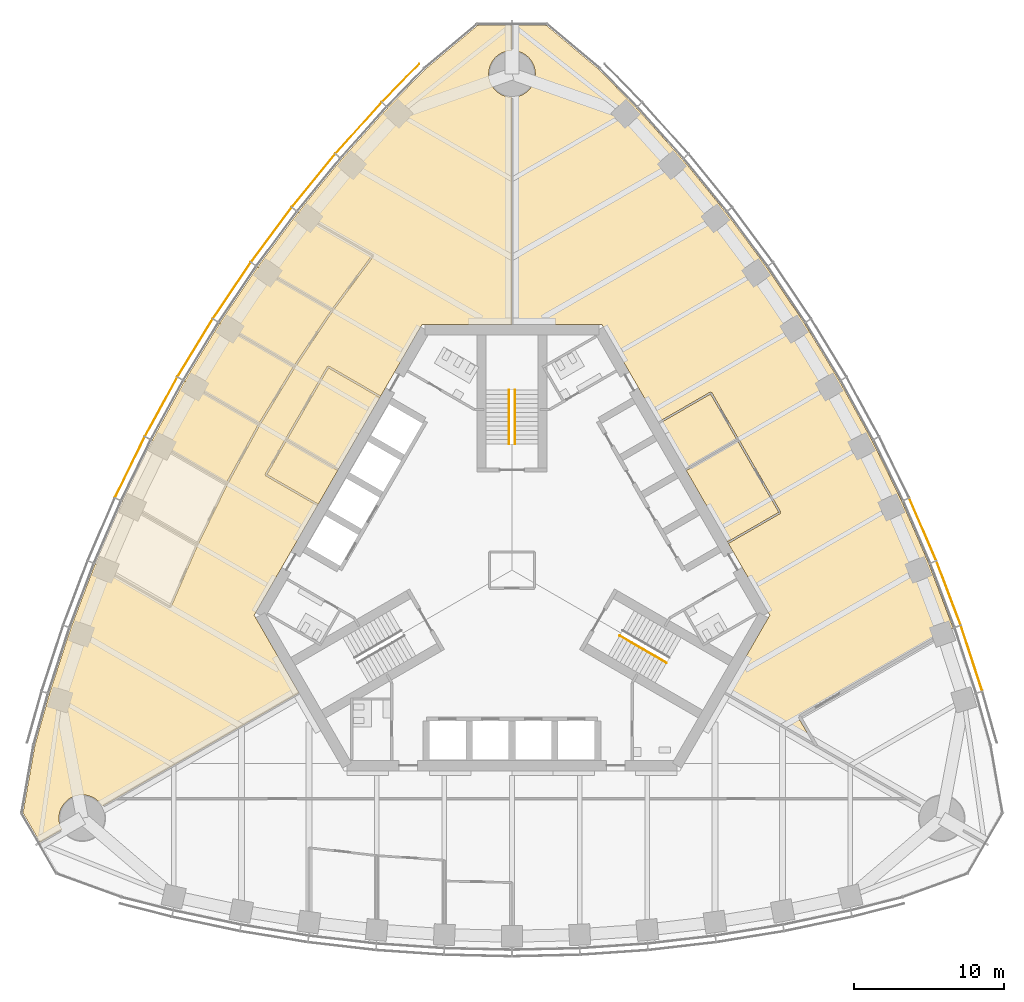
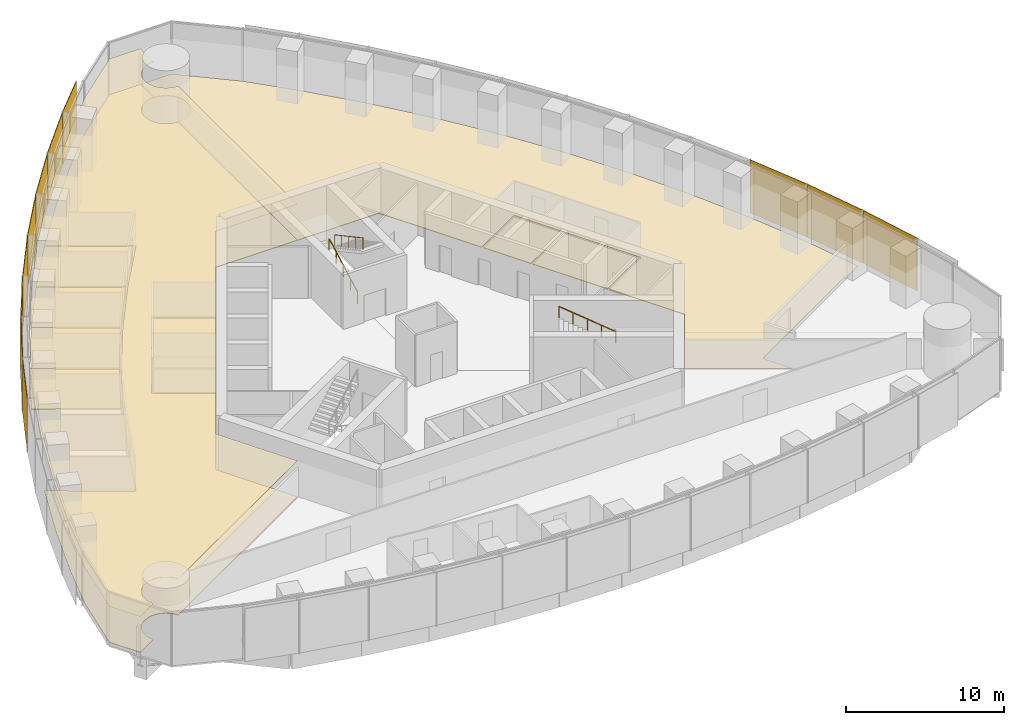
# One storey, part 16 of 19: 11 coverings, 11 shading devices, 3 railings.
"""IFC4 building model written with IfcOpenShell, lengths in metres."""

from ifc_helpers import new_model, si_unit, direction, frame, origin, origin_2d, place, context, subcontext, project, spatial, polyline, rectangle, circle, outline, extrude, material, layer, layer_set, type_object, element, save


model = new_model("IFC4")

# Units and contexts
model_context = context("Model", 3, precision=1e-05, world=origin(), true_north=direction((0.0, 1.0)))
body_context = subcontext(model_context, "Body", "Model", "MODEL_VIEW")
ifc_project = project(units=[si_unit("LENGTHUNIT", "METRE"), si_unit("AREAUNIT", "SQUARE_METRE"), si_unit("VOLUMEUNIT", "CUBIC_METRE"), si_unit("PLANEANGLEUNIT", "RADIAN"), si_unit("MASSUNIT", "GRAM", prefix="KILO")], contexts=[model_context])

# Site, building, storey
site_placement = place(None, origin())
site = spatial("IfcSite", under=ifc_project, at=site_placement, CompositionType="ELEMENT")
building_placement = place(site_placement, origin())
building = spatial("IfcBuilding", under=site, at=building_placement, Name="Trefoil Bronze Tower", CompositionType="ELEMENT")
storey_placement = place(building_placement, frame((0.0, 0.0, 248.5)))
storey = spatial("IfcBuildingStorey", under=building, at=storey_placement, Name="L57", CompositionType="ELEMENT", Elevation=248.5)

# Shading devices
ifc_material_1 = material(Name="Perforated bronze sheet", Category="bronze")
ifc_layer_1 = layer(ifc_material_1, 0.0400390625)
ifc_layer_set_1 = layer_set([ifc_layer_1], Name="Bronze solar screen panel")
shading_device_type = type_object("IfcShadingDeviceType", Name="Bronze solar screen panel", PredefinedType="SHUTTER", material=ifc_layer_set_1)
shading_device_1_placement = place(storey_placement, frame((30.5634765625, -5.86572265625, 0.050048828125), z_axis=(0.0, 0.0, 1.0), x_axis=(-0.310148591821, 0.950688093431, 0.0)))
element("IfcShadingDevice", 1, at=shading_device_1_placement, inside=storey, type_object=shading_device_type, Name="Solar screen CW-A L57 F2 bay 2", PredefinedType="SHUTTER", context=body_context, shape_type="SweptSolid", body=[
    extrude(rectangle(XDim=4.5693359375, YDim=0.0400390625, at=origin_2d()), origin(), (0.0, 0.0, 1.0), 4.10009765625),
])
shading_device_2_placement = place(storey_placement, frame((29.0341796875, -1.52392578125, 0.050048828125), z_axis=(0.0, 0.0, 1.0), x_axis=(-0.354233936517, 0.935156841508, 0.0)))
element("IfcShadingDevice", 2, at=shading_device_2_placement, inside=storey, type_object=shading_device_type, Name="Solar screen CW-A L57 F2 bay 3", PredefinedType="SHUTTER", context=body_context, shape_type="SweptSolid", body=[
    extrude(rectangle(XDim=4.529296875, YDim=0.0400390625, at=origin_2d()), origin(), (0.0, 0.0, 1.0), 4.10009765625),
])
shading_device_3_placement = place(storey_placement, frame((27.317626953125, 2.709716796875, 0.050048828125), z_axis=(0.0, 0.0, 1.0), x_axis=(-0.397220305764, 0.917723285467, 0.0)))
element("IfcShadingDevice", 3, at=shading_device_3_placement, inside=storey, type_object=shading_device_type, Name="Solar screen CW-A L57 F2 bay 4", PredefinedType="SHUTTER", context=body_context, shape_type="SweptSolid", body=[
    extrude(rectangle(XDim=4.5, YDim=0.0400390625, at=origin_2d()), origin(), (0.0, 0.0, 1.0), 4.10009765625),
])
shading_device_4_placement = place(storey_placement, frame((-7.40478515625, 32.40380859375, 0.050048828125), z_axis=(0.0, 0.0, 1.0), x_axis=(-0.698651812425, -0.715461840349, 0.0)))
element("IfcShadingDevice", 4, at=shading_device_4_placement, inside=storey, type_object=shading_device_type, Name="Solar screen CW-A L57 F3 bay 1", PredefinedType="SHUTTER", context=body_context, shape_type="SweptSolid", body=[
    extrude(rectangle(XDim=3.53369140625, YDim=0.0400390625, at=origin_2d()), origin(), (0.0, 0.0, 1.0), 4.10009765625),
])
shading_device_5_placement = place(storey_placement, frame((-10.20166015625, 29.401611328125, 0.050048828125), z_axis=(0.0, 0.0, 1.0), x_axis=(-0.668245744076, -0.743940606181, 0.0)))
element("IfcShadingDevice", 5, at=shading_device_5_placement, inside=storey, type_object=shading_device_type, Name="Solar screen CW-A L57 F3 bay 2", PredefinedType="SHUTTER", context=body_context, shape_type="SweptSolid", body=[
    extrude(rectangle(XDim=4.5693359375, YDim=0.0400390625, at=origin_2d()), origin(), (0.0, 0.0, 1.0), 4.10009765625),
])
shading_device_6_placement = place(storey_placement, frame((-13.197509765625, 25.90625, 0.050048828125), z_axis=(0.0, 0.0, 1.0), x_axis=(-0.63275261301, -0.774354008661, 0.0)))
element("IfcShadingDevice", 6, at=shading_device_6_placement, inside=storey, type_object=shading_device_type, Name="Solar screen CW-A L57 F3 bay 3", PredefinedType="SHUTTER", context=body_context, shape_type="SweptSolid", body=[
    extrude(rectangle(XDim=4.529296875, YDim=0.0400390625, at=origin_2d()), origin(), (0.0, 0.0, 1.0), 4.10009765625),
])
shading_device_7_placement = place(storey_placement, frame((-16.005615234375, 22.302734375, 0.050048828125), z_axis=(0.0, 0.0, 1.0), x_axis=(-0.596161525977, -0.802864518425, 0.0)))
element("IfcShadingDevice", 7, at=shading_device_7_placement, inside=storey, type_object=shading_device_type, Name="Solar screen CW-A L57 F3 bay 4", PredefinedType="SHUTTER", context=body_context, shape_type="SweptSolid", body=[
    extrude(rectangle(XDim=4.5, YDim=0.0400390625, at=origin_2d()), origin(), (0.0, 0.0, 1.0), 4.10009765625),
])
shading_device_8_placement = place(storey_placement, frame((-18.6298828125, 18.59326171875, 0.050048828125), z_axis=(0.0, 0.0, 1.0), x_axis=(-0.558493494706, -0.829508900718, 0.0)))
element("IfcShadingDevice", 8, at=shading_device_8_placement, inside=storey, type_object=shading_device_type, Name="Solar screen CW-A L57 F3 bay 5", PredefinedType="SHUTTER", context=body_context, shape_type="SweptSolid", body=[
    extrude(rectangle(XDim=4.480712890625, YDim=0.0400390625, at=origin_2d()), origin(), (0.0, 0.0, 1.0), 4.10009765625),
])
for number, where, z_axis, x_axis, name in (
    (9, (-21.07275390625, 14.77880859375, 0.050048828125), (0.0, 0.0, 1.0), (-0.519762112739, -0.854311035959, 0.0), "Solar screen CW-A L57 F3 bay 6"),
    (10, (-23.3349609375, 10.860107421875, 0.050048828125), (0.0, 0.0, 1.0), (-0.479974003504, -0.877282711536, 0.0), "Solar screen CW-A L57 F3 bay 7"),
):
    element("IfcShadingDevice", number, at=place(storey_placement, frame(where, z_axis=z_axis, x_axis=x_axis)), inside=storey, type_object=shading_device_type, Name=name, PredefinedType="SHUTTER", context=body_context, shape_type="SweptSolid", body=[
        extrude(rectangle(XDim=4.47119140625, YDim=0.0400390625, at=origin_2d()), origin(), (0.0, 0.0, 1.0), 4.10009765625),
    ])
shading_device_9_placement = place(storey_placement, frame((-25.4169921875, 6.83740234375, 0.050048828125), z_axis=(0.0, 0.0, 1.0), x_axis=(-0.439129033334, -0.898424004623, 0.0)))
element("IfcShadingDevice", 11, at=shading_device_9_placement, inside=storey, type_object=shading_device_type, Name="Solar screen CW-A L57 F3 bay 8", PredefinedType="SHUTTER", context=body_context, shape_type="SweptSolid", body=[
    extrude(rectangle(XDim=4.480712890625, YDim=0.0400390625, at=origin_2d()), origin(), (0.0, 0.0, 1.0), 4.10009765625),
])

# Railings
ifc_material_2 = material(Name="Steel handrail", Category="steel")
railing_type = type_object("IfcRailingType", Name="Handrail 900", PredefinedType="HANDRAIL", material=ifc_material_2)
railing_1_placement = place(storey_placement, frame((10.28369140625, -6.168212890625, 2.261474609375)))
element("IfcRailing", 12, at=railing_1_placement, inside=storey, type_object=railing_type, Name="Handrail ST1 flight 2 L57", PredefinedType="HANDRAIL", context=body_context, shape_type="SweptSolid", body=[
    extrude(circle(Radius=0.02392578125, at=origin_2d()), frame((0.0, 0.0, 0.8759765625), z_axis=(-0.76250339821, 0.440245697338, 0.474101564745), x_axis=(-0.500012057535, -0.866018442252, 0.0)), (0.0, 0.0, 1.0), 4.088623046875),
    extrude(circle(Radius=0.02099609375, at=origin_2d()), origin(), (0.0, 0.0, 1.0), 0.851806640625),
    extrude(circle(Radius=0.02099609375, at=origin_2d()), frame((-0.779296875, 0.449951171875, 0.484619140625)), (0.0, 0.0, 1.0), 0.851806640625),
    extrude(circle(Radius=0.02099609375, at=origin_2d()), frame((-1.558837890625, 0.89990234375, 0.96923828125)), (0.0, 0.0, 1.0), 0.851806640625),
    extrude(circle(Radius=0.02099609375, at=origin_2d()), frame((-2.33837890625, 1.35009765625, 1.453857421875)), (0.0, 0.0, 1.0), 0.851806640625),
    extrude(circle(Radius=0.02099609375, at=origin_2d()), frame((-3.11767578125, 1.800048828125, 1.9384765625)), (0.0, 0.0, 1.0), 0.851806640625),
])
railing_2_placement = place(storey_placement, frame((-0.199951171875, 8.389892578125, 0.16162109375)))
element("IfcRailing", 13, at=railing_2_placement, inside=storey, type_object=railing_type, Name="Handrail ST2 flight 1 L57", PredefinedType="HANDRAIL", context=body_context, shape_type="SweptSolid", body=[
    extrude(circle(Radius=0.02392578125, at=origin_2d()), frame((0.0, 0.0, 0.8759765625), z_axis=(0.0, 0.880474934443, 0.474092701714), x_axis=(-1.0, 0.0, 0.0)), (0.0, 0.0, 1.0), 4.0888671875),
    extrude(circle(Radius=0.02099609375, at=origin_2d()), origin(), (0.0, 0.0, 1.0), 0.851806640625),
    extrude(circle(Radius=0.02099609375, at=origin_2d()), frame((0.0, 0.89990234375, 0.484619140625)), (0.0, 0.0, 1.0), 0.851806640625),
    extrude(circle(Radius=0.02099609375, at=origin_2d()), frame((0.0, 1.800048828125, 0.96923828125)), (0.0, 0.0, 1.0), 0.851806640625),
    extrude(circle(Radius=0.02099609375, at=origin_2d()), frame((0.0, 2.7001953125, 1.453857421875)), (0.0, 0.0, 1.0), 0.851806640625),
    extrude(circle(Radius=0.02099609375, at=origin_2d()), frame((0.0, 3.60009765625, 1.9384765625)), (0.0, 0.0, 1.0), 0.851806640625),
])
railing_3_placement = place(storey_placement, frame((0.199951171875, 11.989990234375, 2.261474609375)))
element("IfcRailing", 14, at=railing_3_placement, inside=storey, type_object=railing_type, Name="Handrail ST2 flight 2 L57", PredefinedType="HANDRAIL", context=body_context, shape_type="SweptSolid", body=[
    extrude(circle(Radius=0.02392578125, at=origin_2d()), frame((0.0, 0.0, 0.8759765625), z_axis=(0.0, -0.880474934443, 0.474092701714), x_axis=(1.0, 0.0, 0.0)), (0.0, 0.0, 1.0), 4.0888671875),
    extrude(circle(Radius=0.02099609375, at=origin_2d()), origin(), (0.0, 0.0, 1.0), 0.851806640625),
    extrude(circle(Radius=0.02099609375, at=origin_2d()), frame((0.0, -0.89990234375, 0.484619140625)), (0.0, 0.0, 1.0), 0.851806640625),
    extrude(circle(Radius=0.02099609375, at=origin_2d()), frame((0.0, -1.800048828125, 0.96923828125)), (0.0, 0.0, 1.0), 0.851806640625),
    extrude(circle(Radius=0.02099609375, at=origin_2d()), frame((0.0, -2.7001953125, 1.453857421875)), (0.0, 0.0, 1.0), 0.851806640625),
    extrude(circle(Radius=0.02099609375, at=origin_2d()), frame((0.0, -3.60009765625, 1.9384765625)), (0.0, 0.0, 1.0), 0.851806640625),
])

# Coverings
ifc_material_3 = material(Name="Acoustic ceiling panels", Category="mineral fibre")
ifc_layer_2 = layer(ifc_material_3, 0.02001953125)
ifc_layer_set_2 = layer_set([ifc_layer_2], Name="Office ceiling 20")
covering_type_1 = type_object("IfcCoveringType", Name="Office ceiling 20", PredefinedType="CEILING", material=ifc_layer_set_2)
covering_1_placement = place(storey_placement, frame((0.0, 0.0, 2.89990234375)))
element("IfcCovering", 15, at=covering_1_placement, inside=storey, type_object=covering_type_1, Name="Ceiling L57 Open-plan office F3", PredefinedType="CEILING", context=body_context, shape_type="SweptSolid", body=[
    extrude(outline(polyline([(-30.76318359375, -8.219482421875), (-29.3369140625, -3.846923828125), (-27.7216796875, 0.416748046875), (-25.92236328125, 4.573974609375), (-23.94140625, 8.62646484375), (-21.781005859375, 12.5751953125), (-19.44140625, 16.420654296875), (-16.92236328125, 20.162353515625), (-14.2216796875, 23.79931640625), (-11.3369140625, 27.329833984375), (-8.26318359375, 30.751708984375), (-5.7734375, 33.30126953125), (-2.280029296875, 36.232666015625), (-0.013671875, 36.232666015625), (-0.012939453125, 34.5498046875), (-0.076171875, 34.548095703125), (-0.15185546875, 34.54248046875), (-0.227294921875, 34.533203125), (-0.302490234375, 34.520263671875), (-0.376708984375, 34.50341796875), (-0.449951171875, 34.4833984375), (-0.522216796875, 34.45947265625), (-0.59326171875, 34.431884765625), (-0.66259765625, 34.401123046875), (-0.730712890625, 34.366943359375), (-0.796875, 34.32958984375), (-0.861083984375, 34.288818359375), (-0.92333984375, 34.2451171875), (-0.9833984375, 34.1982421875), (-1.041015625, 34.1484375), (-1.095947265625, 34.095947265625), (-1.1484375, 34.041015625), (-1.1982421875, 33.9833984375), (-1.2451171875, 33.92333984375), (-1.288818359375, 33.861083984375), (-1.32958984375, 33.796875), (-1.366943359375, 33.730712890625), (-1.401123046875, 33.66259765625), (-1.431884765625, 33.59326171875), (-1.45947265625, 33.522216796875), (-1.4833984375, 33.449951171875), (-1.50341796875, 33.376708984375), (-1.520263671875, 33.302490234375), (-1.533203125, 33.227294921875), (-1.54248046875, 33.15185546875), (-1.548095703125, 33.076171875), (-1.550048828125, 33.0), (-1.548095703125, 32.923828125), (-1.54248046875, 32.84814453125), (-1.533203125, 32.772705078125), (-1.520263671875, 32.697509765625), (-1.50341796875, 32.623291015625), (-1.4833984375, 32.550048828125), (-1.45947265625, 32.477783203125), (-1.431884765625, 32.40673828125), (-1.401123046875, 32.33740234375), (-1.366943359375, 32.269287109375), (-1.32958984375, 32.203125), (-1.288818359375, 32.138916015625), (-1.2451171875, 32.07666015625), (-1.1982421875, 32.0166015625), (-1.1484375, 31.958984375), (-1.095947265625, 31.904052734375), (-1.041015625, 31.8515625), (-0.9833984375, 31.8017578125), (-0.92333984375, 31.7548828125), (-0.861083984375, 31.711181640625), (-0.796875, 31.67041015625), (-0.730712890625, 31.633056640625), (-0.66259765625, 31.598876953125), (-0.59326171875, 31.568115234375), (-0.522216796875, 31.54052734375), (-0.449951171875, 31.5166015625), (-0.376708984375, 31.49658203125), (-0.302490234375, 31.479736328125), (-0.227294921875, 31.466796875), (-0.15185546875, 31.45751953125), (-0.076171875, 31.451904296875), (-0.01171875, 31.4501953125), (-0.006103515625, 16.35009765625), (-5.9755859375, 16.35009765625), (-17.147216796875, -3.0), (-14.16259765625, -8.169677734375), (-27.24267578125, -15.71484375), (-27.2900390625, -15.638916015625), (-27.333984375, -15.57666015625), (-27.380615234375, -15.5166015625), (-27.430419921875, -15.458984375), (-27.48291015625, -15.404052734375), (-27.537841796875, -15.3515625), (-27.595458984375, -15.3017578125), (-27.655517578125, -15.2548828125), (-27.7177734375, -15.211181640625), (-27.781982421875, -15.17041015625), (-27.84814453125, -15.133056640625), (-27.916015625, -15.098876953125), (-27.985595703125, -15.068115234375), (-28.056640625, -15.04052734375), (-28.12890625, -15.0166015625), (-28.2021484375, -14.99658203125), (-28.2763671875, -14.979736328125), (-28.351318359375, -14.966796875), (-28.427001953125, -14.95751953125), (-28.502685546875, -14.951904296875), (-28.578857421875, -14.949951171875), (-28.65478515625, -14.951904296875), (-28.730712890625, -14.95751953125), (-28.806396484375, -14.966796875), (-28.881103515625, -14.979736328125), (-28.95556640625, -14.99658203125), (-29.02880859375, -15.0166015625), (-29.10107421875, -15.04052734375), (-29.172119140625, -15.068115234375), (-29.241455078125, -15.098876953125), (-29.3095703125, -15.133056640625), (-29.375732421875, -15.17041015625), (-29.43994140625, -15.211181640625), (-29.502197265625, -15.2548828125), (-29.56201171875, -15.3017578125), (-29.619873046875, -15.3515625), (-29.6748046875, -15.404052734375), (-29.727294921875, -15.458984375), (-29.777099609375, -15.5166015625), (-29.82373046875, -15.57666015625), (-29.86767578125, -15.638916015625), (-29.908203125, -15.703125), (-29.94580078125, -15.769287109375), (-29.97998046875, -15.83740234375), (-30.010986328125, -15.90673828125), (-30.0380859375, -15.977783203125), (-30.06201171875, -16.050048828125), (-30.08251953125, -16.123291015625), (-30.09912109375, -16.197509765625), (-30.112060546875, -16.272705078125), (-30.121337890625, -16.34814453125), (-30.126953125, -16.423828125), (-30.12890625, -16.5), (-30.126953125, -16.576171875), (-30.121337890625, -16.65185546875), (-30.112060546875, -16.727294921875), (-30.09912109375, -16.802490234375), (-30.08251953125, -16.876708984375), (-30.06201171875, -16.949951171875), (-30.0380859375, -17.022216796875), (-30.010986328125, -17.09326171875), (-29.97998046875, -17.16259765625), (-29.94580078125, -17.230712890625), (-29.92724609375, -17.263427734375), (-31.385009765625, -18.1044921875), (-32.518310546875, -16.1416015625), (-31.7265625, -11.650634765625), (-30.76318359375, -8.219482421875)])), origin(), (0.0, 0.0, 1.0), 0.02001953125),
])
ifc_material_4 = material(Name="Raised access floor panels", Category="steel")
ifc_layer_3 = layer(ifc_material_4, 0.050048828125)
ifc_layer_set_3 = layer_set([ifc_layer_3], Name="Raised access floor 150")
covering_type_2 = type_object("IfcCoveringType", Name="Raised access floor 150", PredefinedType="FLOORING", material=ifc_layer_set_3)
covering_2_placement = place(storey_placement, frame((0.0, 0.0, 0.10009765625)))
element("IfcCovering", 16, at=covering_2_placement, inside=storey, type_object=covering_type_2, Name="Raised floor L57 Meeting room F2", PredefinedType="FLOORING", context=body_context, shape_type="SweptSolid", body=[
    extrude(outline(polyline([(11.59130859375, 6.623046875), (15.003662109375, 8.593017578125), (17.74365234375, 3.84716796875), (14.331298828125, 1.877197265625), (11.59130859375, 6.623046875)])), origin(), (0.0, 0.0, 1.0), 0.0498046875),
])
covering_3_placement = place(storey_placement, frame((0.0, 0.0, 0.10009765625)))
element("IfcCovering", 17, at=covering_3_placement, inside=storey, type_object=covering_type_2, Name="Raised floor L57 Meeting room F2", PredefinedType="FLOORING", context=body_context, shape_type="SweptSolid", body=[
    extrude(outline(polyline([(9.79150390625, 9.74072265625), (13.20361328125, 11.710693359375), (14.943603515625, 8.697021484375), (11.531494140625, 6.72705078125), (9.79150390625, 9.74072265625)])), origin(), (0.0, 0.0, 1.0), 0.0498046875),
])
covering_4_placement = place(storey_placement, frame((0.0, 0.0, 0.10009765625)))
element("IfcCovering", 18, at=covering_4_placement, inside=storey, type_object=covering_type_2, Name="Raised floor L57 Open-plan office F2", PredefinedType="FLOORING", context=body_context, shape_type="SweptSolid", body=[
    extrude(outline(polyline([(27.7216796875, 0.416748046875), (29.3369140625, -3.846923828125), (27.989013671875, -4.625244140625), (27.93896484375, -4.53857421875), (19.07373046875, -9.656982421875), (19.123779296875, -9.743408203125), (19.037109375, -9.79345703125), (20.06591796875, -11.574951171875), (14.16259765625, -8.169677734375), (17.147216796875, -3.0), (14.391357421875, 1.773193359375), (17.85546875, 3.773193359375), (17.825439453125, 3.8251953125), (17.87744140625, 3.855224609375), (13.277587890625, 11.82275390625), (13.2255859375, 11.792724609375), (13.195556640625, 11.8447265625), (9.7314453125, 9.8447265625), (5.9755859375, 16.35009765625), (0.006103515625, 16.35009765625), (0.01171875, 31.4501953125), (0.076171875, 31.451904296875), (0.15185546875, 31.45751953125), (0.227294921875, 31.466796875), (0.302490234375, 31.479736328125), (0.376708984375, 31.49658203125), (0.449951171875, 31.5166015625), (0.522216796875, 31.54052734375), (0.59326171875, 31.568115234375), (0.66259765625, 31.598876953125), (0.730712890625, 31.633056640625), (0.796875, 31.67041015625), (0.861083984375, 31.711181640625), (0.92333984375, 31.7548828125), (0.9833984375, 31.8017578125), (1.041015625, 31.8515625), (1.095947265625, 31.904052734375), (1.1484375, 31.958984375), (1.1982421875, 32.0166015625), (1.2451171875, 32.07666015625), (1.288818359375, 32.138916015625), (1.32958984375, 32.203125), (1.366943359375, 32.269287109375), (1.401123046875, 32.33740234375), (1.431884765625, 32.40673828125), (1.45947265625, 32.477783203125), (1.4833984375, 32.550048828125), (1.50341796875, 32.623291015625), (1.520263671875, 32.697509765625), (1.533203125, 32.772705078125), (1.54248046875, 32.84814453125), (1.548095703125, 32.923828125), (1.550048828125, 33.0), (1.548095703125, 33.076171875), (1.54248046875, 33.15185546875), (1.533203125, 33.227294921875), (1.520263671875, 33.302490234375), (1.50341796875, 33.376708984375), (1.4833984375, 33.449951171875), (1.45947265625, 33.522216796875), (1.431884765625, 33.59326171875), (1.401123046875, 33.66259765625), (1.366943359375, 33.730712890625), (1.32958984375, 33.796875), (1.288818359375, 33.861083984375), (1.2451171875, 33.92333984375), (1.1982421875, 33.9833984375), (1.1484375, 34.041015625), (1.095947265625, 34.095947265625), (1.041015625, 34.1484375), (0.9833984375, 34.1982421875), (0.92333984375, 34.2451171875), (0.861083984375, 34.288818359375), (0.796875, 34.32958984375), (0.730712890625, 34.366943359375), (0.66259765625, 34.401123046875), (0.59326171875, 34.431884765625), (0.522216796875, 34.45947265625), (0.449951171875, 34.4833984375), (0.376708984375, 34.50341796875), (0.302490234375, 34.520263671875), (0.227294921875, 34.533203125), (0.15185546875, 34.54248046875), (0.076171875, 34.548095703125), (0.012939453125, 34.5498046875), (0.013671875, 36.232666015625), (2.280029296875, 36.232666015625), (5.7734375, 33.30126953125), (8.26318359375, 30.751708984375), (11.3369140625, 27.329833984375), (14.2216796875, 23.79931640625), (16.92236328125, 20.162353515625), (19.44140625, 16.420654296875), (21.781005859375, 12.5751953125), (23.94140625, 8.62646484375), (25.92236328125, 4.573974609375), (27.7216796875, 0.416748046875)])), origin(), (0.0, 0.0, 1.0), 0.0498046875),
])
covering_5_placement = place(storey_placement, frame((0.0, 0.0, 0.10009765625)))
element("IfcCovering", 19, at=covering_5_placement, inside=storey, type_object=covering_type_2, Name="Raised floor L57 Meeting room F3", PredefinedType="FLOORING", context=body_context, shape_type="SweptSolid", body=[
    extrude(outline(polyline([(-11.531494140625, 6.72705078125), (-14.943603515625, 8.697021484375), (-12.20361328125, 13.44287109375), (-8.79150390625, 11.472900390625), (-11.531494140625, 6.72705078125)])), origin(), (0.0, 0.0, 1.0), 0.0498046875),
])
covering_6_placement = place(storey_placement, frame((0.0, 0.0, 0.10009765625)))
element("IfcCovering", 20, at=covering_6_placement, inside=storey, type_object=covering_type_2, Name="Raised floor L57 Pantry F3", PredefinedType="FLOORING", context=body_context, shape_type="SweptSolid", body=[
    extrude(outline(polyline([(-12.88134765625, 4.388671875), (-16.293701171875, 6.358642578125), (-15.003662109375, 8.593017578125), (-11.59130859375, 6.623046875), (-12.88134765625, 4.388671875)])), origin(), (0.0, 0.0, 1.0), 0.0498046875),
])
covering_7_placement = place(storey_placement, frame((0.0, 0.0, 0.10009765625)))
element("IfcCovering", 21, at=covering_7_placement, inside=storey, type_object=covering_type_2, Name="Raised floor L57 Office F3", PredefinedType="FLOORING", context=body_context, shape_type="SweptSolid", body=[
    extrude(outline(polyline([(-14.2216796875, 23.79931640625), (-12.884033203125, 23.027099609375), (-12.9140625, 22.97509765625), (-9.330322265625, 20.906005859375), (-11.958984375, 17.3662109375), (-15.561767578125, 19.446044921875), (-15.591796875, 19.394287109375), (-16.92236328125, 20.162353515625), (-14.2216796875, 23.79931640625)])), origin(), (0.0, 0.0, 1.0), 0.0498046875),
])
covering_8_placement = place(storey_placement, frame((0.0, 0.0, 0.10009765625)))
element("IfcCovering", 22, at=covering_8_placement, inside=storey, type_object=covering_type_2, Name="Raised floor L57 Office F3", PredefinedType="FLOORING", context=body_context, shape_type="SweptSolid", body=[
    extrude(outline(polyline([(-16.92236328125, 20.162353515625), (-15.591796875, 19.394287109375), (-15.62158203125, 19.34228515625), (-12.0283203125, 17.267578125), (-14.48046875, 13.625732421875), (-18.085205078125, 15.706787109375), (-18.114990234375, 15.65478515625), (-19.44140625, 16.420654296875), (-16.92236328125, 20.162353515625)])), origin(), (0.0, 0.0, 1.0), 0.0498046875),
])
covering_9_placement = place(storey_placement, frame((0.0, 0.0, 0.10009765625)))
element("IfcCovering", 23, at=covering_9_placement, inside=storey, type_object=covering_type_2, Name="Raised floor L57 Office F3", PredefinedType="FLOORING", context=body_context, shape_type="SweptSolid", body=[
    extrude(outline(polyline([(-21.781005859375, 12.5751953125), (-19.44140625, 16.420654296875), (-18.114990234375, 15.65478515625), (-18.14501953125, 15.60302734375), (-14.545166015625, 13.5244140625), (-16.822265625, 9.781494140625), (-20.426025390625, 11.8623046875), (-20.4560546875, 11.810302734375), (-21.781005859375, 12.5751953125)])), origin(), (0.0, 0.0, 1.0), 0.0498046875),
])
covering_10_placement = place(storey_placement, frame((0.0, 0.0, 0.10009765625)))
element("IfcCovering", 24, at=covering_10_placement, inside=storey, type_object=covering_type_2, Name="Raised floor L57 Office F3", PredefinedType="FLOORING", context=body_context, shape_type="SweptSolid", body=[
    extrude(outline(polyline([(-23.94140625, 8.62646484375), (-21.781005859375, 12.5751953125), (-20.4560546875, 11.810302734375), (-20.486083984375, 11.75830078125), (-16.882080078125, 9.677734375), (-18.985107421875, 5.834228515625), (-22.585205078125, 7.91259765625), (-22.614990234375, 7.860595703125), (-23.94140625, 8.62646484375)])), origin(), (0.0, 0.0, 1.0), 0.0498046875),
])
covering_11_placement = place(storey_placement, frame((0.0, 0.0, 0.10009765625)))
element("IfcCovering", 25, at=covering_11_placement, inside=storey, type_object=covering_type_2, Name="Raised floor L57 Open-plan office F3", PredefinedType="FLOORING", context=body_context, shape_type="SweptSolid", body=[
    extrude(outline(polyline([(-14.2216796875, 23.79931640625), (-11.3369140625, 27.329833984375), (-8.26318359375, 30.751708984375), (-5.7734375, 33.30126953125), (-2.280029296875, 36.232666015625), (-0.013671875, 36.232666015625), (-0.012939453125, 34.5498046875), (-0.076171875, 34.548095703125), (-0.15185546875, 34.54248046875), (-0.227294921875, 34.533203125), (-0.302490234375, 34.520263671875), (-0.376708984375, 34.50341796875), (-0.449951171875, 34.4833984375), (-0.522216796875, 34.45947265625), (-0.59326171875, 34.431884765625), (-0.66259765625, 34.401123046875), (-0.730712890625, 34.366943359375), (-0.796875, 34.32958984375), (-0.861083984375, 34.288818359375), (-0.92333984375, 34.2451171875), (-0.9833984375, 34.1982421875), (-1.041015625, 34.1484375), (-1.095947265625, 34.095947265625), (-1.1484375, 34.041015625), (-1.1982421875, 33.9833984375), (-1.2451171875, 33.92333984375), (-1.288818359375, 33.861083984375), (-1.32958984375, 33.796875), (-1.366943359375, 33.730712890625), (-1.401123046875, 33.66259765625), (-1.431884765625, 33.59326171875), (-1.45947265625, 33.522216796875), (-1.4833984375, 33.449951171875), (-1.50341796875, 33.376708984375), (-1.520263671875, 33.302490234375), (-1.533203125, 33.227294921875), (-1.54248046875, 33.15185546875), (-1.548095703125, 33.076171875), (-1.550048828125, 33.0), (-1.548095703125, 32.923828125), (-1.54248046875, 32.84814453125), (-1.533203125, 32.772705078125), (-1.520263671875, 32.697509765625), (-1.50341796875, 32.623291015625), (-1.4833984375, 32.550048828125), (-1.45947265625, 32.477783203125), (-1.431884765625, 32.40673828125), (-1.401123046875, 32.33740234375), (-1.366943359375, 32.269287109375), (-1.32958984375, 32.203125), (-1.288818359375, 32.138916015625), (-1.2451171875, 32.07666015625), (-1.1982421875, 32.0166015625), (-1.1484375, 31.958984375), (-1.095947265625, 31.904052734375), (-1.041015625, 31.8515625), (-0.9833984375, 31.8017578125), (-0.92333984375, 31.7548828125), (-0.861083984375, 31.711181640625), (-0.796875, 31.67041015625), (-0.730712890625, 31.633056640625), (-0.66259765625, 31.598876953125), (-0.59326171875, 31.568115234375), (-0.522216796875, 31.54052734375), (-0.449951171875, 31.5166015625), (-0.376708984375, 31.49658203125), (-0.302490234375, 31.479736328125), (-0.227294921875, 31.466796875), (-0.15185546875, 31.45751953125), (-0.076171875, 31.451904296875), (-0.01171875, 31.4501953125), (-0.006103515625, 16.35009765625), (-5.9755859375, 16.35009765625), (-8.7314453125, 11.57666015625), (-12.195556640625, 13.57666015625), (-12.2255859375, 13.524658203125), (-12.277587890625, 13.5546875), (-16.427490234375, 6.36669921875), (-16.37548828125, 6.336669921875), (-16.405517578125, 6.284912109375), (-12.94140625, 4.284912109375), (-17.147216796875, -3.0), (-14.16259765625, -8.169677734375), (-27.24267578125, -15.71484375), (-27.2900390625, -15.638916015625), (-27.333984375, -15.57666015625), (-27.380615234375, -15.5166015625), (-27.430419921875, -15.458984375), (-27.48291015625, -15.404052734375), (-27.537841796875, -15.3515625), (-27.595458984375, -15.3017578125), (-27.655517578125, -15.2548828125), (-27.7177734375, -15.211181640625), (-27.781982421875, -15.17041015625), (-27.84814453125, -15.133056640625), (-27.916015625, -15.098876953125), (-27.985595703125, -15.068115234375), (-28.056640625, -15.04052734375), (-28.12890625, -15.0166015625), (-28.2021484375, -14.99658203125), (-28.2763671875, -14.979736328125), (-28.351318359375, -14.966796875), (-28.427001953125, -14.95751953125), (-28.502685546875, -14.951904296875), (-28.578857421875, -14.949951171875), (-28.65478515625, -14.951904296875), (-28.730712890625, -14.95751953125), (-28.806396484375, -14.966796875), (-28.881103515625, -14.979736328125), (-28.95556640625, -14.99658203125), (-29.02880859375, -15.0166015625), (-29.10107421875, -15.04052734375), (-29.172119140625, -15.068115234375), (-29.241455078125, -15.098876953125), (-29.3095703125, -15.133056640625), (-29.375732421875, -15.17041015625), (-29.43994140625, -15.211181640625), (-29.502197265625, -15.2548828125), (-29.56201171875, -15.3017578125), (-29.619873046875, -15.3515625), (-29.6748046875, -15.404052734375), (-29.727294921875, -15.458984375), (-29.777099609375, -15.5166015625), (-29.82373046875, -15.57666015625), (-29.86767578125, -15.638916015625), (-29.908203125, -15.703125), (-29.94580078125, -15.769287109375), (-29.97998046875, -15.83740234375), (-30.010986328125, -15.90673828125), (-30.0380859375, -15.977783203125), (-30.06201171875, -16.050048828125), (-30.08251953125, -16.123291015625), (-30.09912109375, -16.197509765625), (-30.112060546875, -16.272705078125), (-30.121337890625, -16.34814453125), (-30.126953125, -16.423828125), (-30.12890625, -16.5), (-30.126953125, -16.576171875), (-30.121337890625, -16.65185546875), (-30.112060546875, -16.727294921875), (-30.09912109375, -16.802490234375), (-30.08251953125, -16.876708984375), (-30.06201171875, -16.949951171875), (-30.0380859375, -17.022216796875), (-30.010986328125, -17.09326171875), (-29.97998046875, -17.16259765625), (-29.94580078125, -17.230712890625), (-29.92724609375, -17.263427734375), (-31.385009765625, -18.1044921875), (-32.518310546875, -16.1416015625), (-31.7265625, -11.650634765625), (-30.76318359375, -8.219482421875), (-29.3369140625, -3.846923828125), (-27.7216796875, 0.416748046875), (-26.384033203125, -0.355712890625), (-26.4140625, -0.40771484375), (-22.772216796875, -2.51025390625), (-22.7421875, -2.458251953125), (-22.68701171875, -2.482177734375), (-20.88818359375, 1.673828125), (-18.90869140625, 5.723876953125), (-16.74951171875, 9.67041015625), (-14.411376953125, 13.513427734375), (-11.893798828125, 17.252685546875), (-9.19384765625, 20.888671875), (-9.2421875, 20.92431640625), (-9.212158203125, 20.976318359375), (-12.85400390625, 23.0791015625), (-12.884033203125, 23.027099609375), (-14.2216796875, 23.79931640625)])), origin(), (0.0, 0.0, 1.0), 0.0498046875),
])

save(model, "model.ifc")
